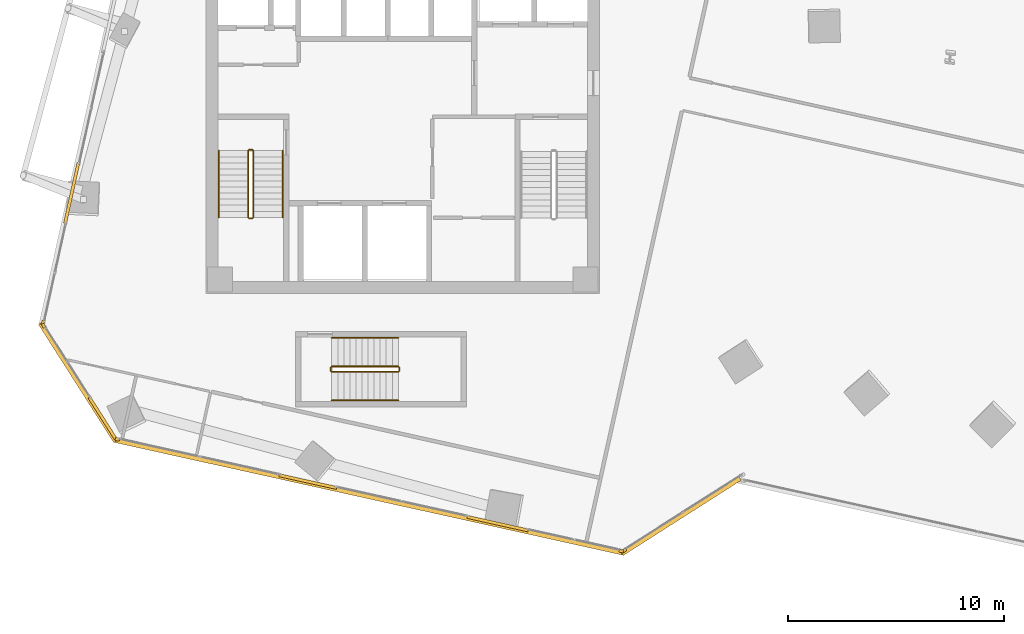
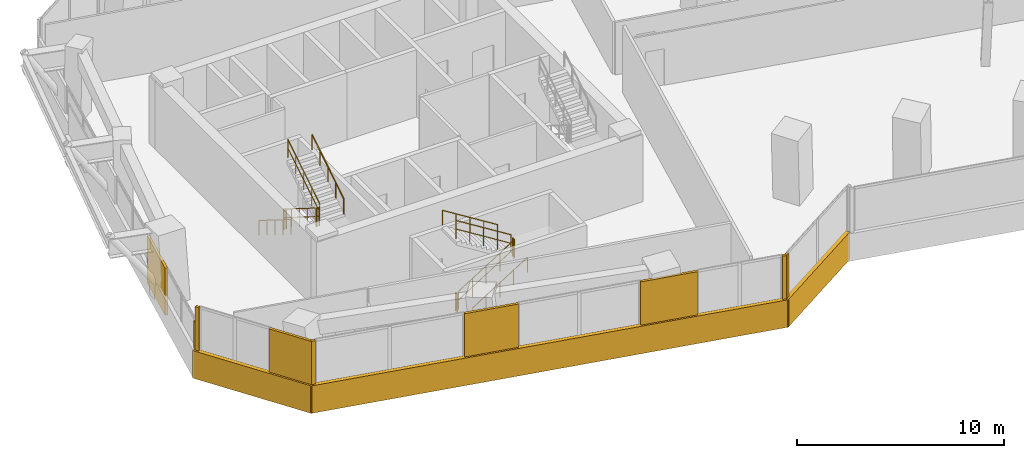
# One storey, part 23 of 26: 12 coverings, 12 railings.
"""IFC4 building model written with IfcOpenShell, lengths in metres."""

from ifc_helpers import new_model, si_unit, direction, frame, origin, origin_2d, place, context, subcontext, project, spatial, rectangle, circle, extrude, source, transform, mapped, material, layer, layer_set, type_object, element, save


model = new_model("IFC4")

# Units and contexts
model_context = context("Model", 3, precision=1e-05, world=origin(), true_north=direction((0.0, 1.0)))
body_context = subcontext(model_context, "Body", "Model", "MODEL_VIEW")
ifc_project = project(units=[si_unit("LENGTHUNIT", "METRE"), si_unit("AREAUNIT", "SQUARE_METRE"), si_unit("VOLUMEUNIT", "CUBIC_METRE"), si_unit("PLANEANGLEUNIT", "RADIAN"), si_unit("MASSUNIT", "GRAM", prefix="KILO")], contexts=[model_context])

# Site, building, storey
site_placement = place(None, origin())
site = spatial("IfcSite", under=ifc_project, at=site_placement, CompositionType="ELEMENT")
building_placement = place(site_placement, origin())
building = spatial("IfcBuilding", under=site, at=building_placement, Name="Torre Montelarca", CompositionType="ELEMENT")
storey_placement = place(building_placement, frame((0.0, 0.0, 95.800048828125)))
storey = spatial("IfcBuildingStorey", under=building, at=storey_placement, Name="L21", CompositionType="ELEMENT", Elevation=95.800048828125)

# Railings
ifc_material_1 = material(Name="Powder-coated steel ASTM A500 Grade C", Category="steel")
railing_type_1 = type_object("IfcRailingType", Name="RL-GUARD-1100", PredefinedType="BALUSTRADE", material=ifc_material_1)
railing_1_placement = place(storey_placement, frame((10.85009765625, 30.5, 0.175048828125)))
element("IfcRailing", 1, at=railing_1_placement, inside=storey, type_object=railing_type_1, Name="L21 ST1 stair guard 1", PredefinedType="BALUSTRADE", context=body_context, shape_type="SweptSolid", body=[
    extrude(circle(Radius=0.02392578125, at=origin_2d()), frame((0.0, 0.0, 1.076171875), z_axis=(0.0, -0.848028513186, 0.529950602248), x_axis=(1.0, 0.0, 0.0)), (0.0, 0.0, 1.0), 3.632080078125),
    extrude(circle(Radius=0.02099609375, at=origin_2d()), frame((0.0, 0.0, 0.572021484375), z_axis=(0.0, -0.848028513186, 0.529950602248), x_axis=(1.0, 0.0, 0.0)), (0.0, 0.0, 1.0), 3.632080078125),
    extrude(circle(Radius=0.02099609375, at=origin_2d()), origin(), (0.0, 0.0, 1.0), 1.052001953125),
    extrude(circle(Radius=0.02099609375, at=origin_2d()), frame((0.0, -0.77001953125, 0.481201171875)), (0.0, 0.0, 1.0), 1.052001953125),
    extrude(circle(Radius=0.02099609375, at=origin_2d()), frame((0.0, -1.5400390625, 0.96240234375)), (0.0, 0.0, 1.0), 1.052001953125),
    extrude(circle(Radius=0.02099609375, at=origin_2d()), frame((0.0, -2.31005859375, 1.443603515625)), (0.0, 0.0, 1.0), 1.052001953125),
    extrude(circle(Radius=0.02099609375, at=origin_2d()), frame((0.0, -3.080078125, 1.9248046875)), (0.0, 0.0, 1.0), 1.052001953125),
])
railing_2_placement = place(storey_placement, frame((10.89990234375, 27.3701171875, 2.099853515625)))
element("IfcRailing", 2, at=railing_2_placement, inside=storey, type_object=railing_type_1, Name="L21 ST1 stair guard 2", PredefinedType="BALUSTRADE", context=body_context, shape_type="SweptSolid", body=[
    extrude(circle(Radius=0.02392578125, at=origin_2d()), frame((0.0, 0.0, 1.076171875), z_axis=(1.0, 0.0, 0.0), x_axis=(0.0, 1.0, 0.0)), (0.0, 0.0, 1.0), 0.150146484375),
    extrude(circle(Radius=0.02099609375, at=origin_2d()), frame((0.0, 0.0, 0.572021484375), z_axis=(1.0, 0.0, 0.0), x_axis=(0.0, 1.0, 0.0)), (0.0, 0.0, 1.0), 0.150146484375),
    extrude(circle(Radius=0.02099609375, at=origin_2d()), origin(), (0.0, 0.0, 1.0), 1.052001953125),
    extrude(circle(Radius=0.02099609375, at=origin_2d()), frame((0.150146484375, 0.0, 0.0)), (0.0, 0.0, 1.0), 1.052001953125),
])
railing_3_placement = place(storey_placement, frame((11.10009765625, 27.419921875, 2.27490234375)))
element("IfcRailing", 3, at=railing_3_placement, inside=storey, type_object=railing_type_1, Name="L21 ST1 stair guard 3", PredefinedType="BALUSTRADE", context=body_context, shape_type="SweptSolid", body=[
    extrude(circle(Radius=0.02392578125, at=origin_2d()), frame((0.0, 0.0, 1.076171875), z_axis=(0.0, 0.847998304005, 0.529998940003), x_axis=(-1.0, 0.0, 0.0)), (0.0, 0.0, 1.0), 3.632080078125),
    extrude(circle(Radius=0.02099609375, at=origin_2d()), frame((0.0, 0.0, 0.572021484375), z_axis=(0.0, 0.847998304005, 0.529998940003), x_axis=(-1.0, 0.0, 0.0)), (0.0, 0.0, 1.0), 3.632080078125),
    extrude(circle(Radius=0.02099609375, at=origin_2d()), origin(), (0.0, 0.0, 1.0), 1.052001953125),
    extrude(circle(Radius=0.02099609375, at=origin_2d()), frame((0.0, 0.77001953125, 0.481201171875)), (0.0, 0.0, 1.0), 1.052001953125),
    extrude(circle(Radius=0.02099609375, at=origin_2d()), frame((0.0, 1.5400390625, 0.96240234375)), (0.0, 0.0, 1.0), 1.052001953125),
    extrude(circle(Radius=0.02099609375, at=origin_2d()), frame((0.0, 2.31005859375, 1.44384765625)), (0.0, 0.0, 1.0), 1.052001953125),
    extrude(circle(Radius=0.02099609375, at=origin_2d()), frame((0.0, 3.080078125, 1.925048828125)), (0.0, 0.0, 1.0), 1.052001953125),
])
railing_4_placement = place(storey_placement, frame((10.89990234375, 30.550048828125, 0.0)))
element("IfcRailing", 4, at=railing_4_placement, inside=storey, type_object=railing_type_1, Name="L21 ST1 stair guard 4", PredefinedType="BALUSTRADE", context=body_context, shape_type="SweptSolid", body=[
    extrude(circle(Radius=0.02392578125, at=origin_2d()), frame((0.0, 0.0, 1.076171875), z_axis=(1.0, 0.0, 0.0), x_axis=(0.0, 1.0, 0.0)), (0.0, 0.0, 1.0), 0.150146484375),
    extrude(circle(Radius=0.02099609375, at=origin_2d()), frame((0.0, 0.0, 0.572021484375), z_axis=(1.0, 0.0, 0.0), x_axis=(0.0, 1.0, 0.0)), (0.0, 0.0, 1.0), 0.150146484375),
    extrude(circle(Radius=0.02099609375, at=origin_2d()), origin(), (0.0, 0.0, 1.0), 1.052001953125),
    extrude(circle(Radius=0.02099609375, at=origin_2d()), frame((0.150146484375, 0.0, 0.0)), (0.0, 0.0, 1.0), 1.052001953125),
])
railing_5_placement = place(storey_placement, frame((14.719970703125, 20.27001953125, 0.175048828125)))
element("IfcRailing", 5, at=railing_5_placement, inside=storey, type_object=railing_type_1, Name="L21 ST3 stair guard 1", PredefinedType="BALUSTRADE", context=body_context, shape_type="SweptSolid", body=[
    extrude(circle(Radius=0.02392578125, at=origin_2d()), frame((0.0, 0.0, 1.076171875), z_axis=(0.848028513186, 0.0, 0.529950602248), x_axis=(0.0, 1.0, 0.0)), (0.0, 0.0, 1.0), 3.632080078125),
    extrude(circle(Radius=0.02099609375, at=origin_2d()), frame((0.0, 0.0, 0.572021484375), z_axis=(0.848028513186, 0.0, 0.529950602248), x_axis=(0.0, 1.0, 0.0)), (0.0, 0.0, 1.0), 3.632080078125),
    extrude(circle(Radius=0.02099609375, at=origin_2d()), origin(), (0.0, 0.0, 1.0), 1.052001953125),
    extrude(circle(Radius=0.02099609375, at=origin_2d()), frame((0.77001953125, 0.0, 0.481201171875)), (0.0, 0.0, 1.0), 1.052001953125),
    extrude(circle(Radius=0.02099609375, at=origin_2d()), frame((1.5400390625, 0.0, 0.96240234375)), (0.0, 0.0, 1.0), 1.052001953125),
    extrude(circle(Radius=0.02099609375, at=origin_2d()), frame((2.31005859375, 0.0, 1.443603515625)), (0.0, 0.0, 1.0), 1.052001953125),
    extrude(circle(Radius=0.02099609375, at=origin_2d()), frame((3.080078125, 0.0, 1.9248046875)), (0.0, 0.0, 1.0), 1.052001953125),
])
railing_6_placement = place(storey_placement, frame((17.85009765625, 20.320068359375, 2.099853515625)))
element("IfcRailing", 6, at=railing_6_placement, inside=storey, type_object=railing_type_1, Name="L21 ST3 stair guard 2", PredefinedType="BALUSTRADE", context=body_context, shape_type="SweptSolid", body=[
    extrude(circle(Radius=0.02392578125, at=origin_2d()), frame((0.0, 0.0, 1.076171875), z_axis=(0.0, 1.0, 0.0), x_axis=(-1.0, 0.0, 0.0)), (0.0, 0.0, 1.0), 0.14990234375),
    extrude(circle(Radius=0.02099609375, at=origin_2d()), frame((0.0, 0.0, 0.572021484375), z_axis=(0.0, 1.0, 0.0), x_axis=(-1.0, 0.0, 0.0)), (0.0, 0.0, 1.0), 0.14990234375),
    extrude(circle(Radius=0.02099609375, at=origin_2d()), origin(), (0.0, 0.0, 1.0), 1.052001953125),
    extrude(circle(Radius=0.02099609375, at=origin_2d()), frame((0.0, 0.14990234375, 0.0)), (0.0, 0.0, 1.0), 1.052001953125),
])
railing_7_placement = place(storey_placement, frame((17.800048828125, 20.52001953125, 2.27490234375)))
element("IfcRailing", 7, at=railing_7_placement, inside=storey, type_object=railing_type_1, Name="L21 ST3 stair guard 3", PredefinedType="BALUSTRADE", context=body_context, shape_type="SweptSolid", body=[
    extrude(circle(Radius=0.02392578125, at=origin_2d()), frame((0.0, 0.0, 1.076171875), z_axis=(-0.847998304005, 0.0, 0.529998940003), x_axis=(0.0, -1.0, 0.0)), (0.0, 0.0, 1.0), 3.632080078125),
    extrude(circle(Radius=0.02099609375, at=origin_2d()), frame((0.0, 0.0, 0.572021484375), z_axis=(-0.847998304005, 0.0, 0.529998940003), x_axis=(0.0, -1.0, 0.0)), (0.0, 0.0, 1.0), 3.632080078125),
    extrude(circle(Radius=0.02099609375, at=origin_2d()), origin(), (0.0, 0.0, 1.0), 1.052001953125),
    extrude(circle(Radius=0.02099609375, at=origin_2d()), frame((-0.77001953125, 0.0, 0.481201171875)), (0.0, 0.0, 1.0), 1.052001953125),
    extrude(circle(Radius=0.02099609375, at=origin_2d()), frame((-1.5400390625, 0.0, 0.96240234375)), (0.0, 0.0, 1.0), 1.052001953125),
    extrude(circle(Radius=0.02099609375, at=origin_2d()), frame((-2.31005859375, 0.0, 1.44384765625)), (0.0, 0.0, 1.0), 1.052001953125),
    extrude(circle(Radius=0.02099609375, at=origin_2d()), frame((-3.080078125, 0.0, 1.925048828125)), (0.0, 0.0, 1.0), 1.052001953125),
])
railing_8_placement = place(storey_placement, frame((14.669921875, 20.320068359375, 0.0)))
element("IfcRailing", 8, at=railing_8_placement, inside=storey, type_object=railing_type_1, Name="L21 ST3 stair guard 4", PredefinedType="BALUSTRADE", context=body_context, shape_type="SweptSolid", body=[
    extrude(circle(Radius=0.02392578125, at=origin_2d()), frame((0.0, 0.0, 1.076171875), z_axis=(0.0, 1.0, 0.0), x_axis=(-1.0, 0.0, 0.0)), (0.0, 0.0, 1.0), 0.14990234375),
    extrude(circle(Radius=0.02099609375, at=origin_2d()), frame((0.0, 0.0, 0.572021484375), z_axis=(0.0, 1.0, 0.0), x_axis=(-1.0, 0.0, 0.0)), (0.0, 0.0, 1.0), 0.14990234375),
    extrude(circle(Radius=0.02099609375, at=origin_2d()), origin(), (0.0, 0.0, 1.0), 1.052001953125),
    extrude(circle(Radius=0.02099609375, at=origin_2d()), frame((0.0, 0.14990234375, 0.0)), (0.0, 0.0, 1.0), 1.052001953125),
])
ifc_material_2 = material(Name="Brushed stainless steel AISI 316", Category="steel")
railing_type_2 = type_object("IfcRailingType", Name="RL-HANDRAIL-900", PredefinedType="HANDRAIL", material=ifc_material_2)
railing_9_placement = place(storey_placement, frame((9.5, 30.5, 0.175048828125)))
element("IfcRailing", 9, at=railing_9_placement, inside=storey, type_object=railing_type_2, Name="L21 ST1 stair handrail 1", PredefinedType="HANDRAIL", context=body_context, shape_type="SweptSolid", body=[
    extrude(circle(Radius=0.02392578125, at=origin_2d()), frame((0.0, 0.0, 0.8759765625), z_axis=(0.0, -0.848028513186, 0.529950602248), x_axis=(1.0, 0.0, 0.0)), (0.0, 0.0, 1.0), 3.632080078125),
    extrude(circle(Radius=0.02099609375, at=origin_2d()), origin(), (0.0, 0.0, 1.0), 0.851806640625),
    extrude(circle(Radius=0.02099609375, at=origin_2d()), frame((0.0, -0.77001953125, 0.481201171875)), (0.0, 0.0, 1.0), 0.851806640625),
    extrude(circle(Radius=0.02099609375, at=origin_2d()), frame((0.0, -1.5400390625, 0.96240234375)), (0.0, 0.0, 1.0), 0.851806640625),
    extrude(circle(Radius=0.02099609375, at=origin_2d()), frame((0.0, -2.31005859375, 1.443603515625)), (0.0, 0.0, 1.0), 0.851806640625),
    extrude(circle(Radius=0.02099609375, at=origin_2d()), frame((0.0, -3.080078125, 1.9248046875)), (0.0, 0.0, 1.0), 0.851806640625),
])
railing_10_placement = place(storey_placement, frame((12.449951171875, 27.419921875, 2.27490234375)))
element("IfcRailing", 10, at=railing_10_placement, inside=storey, type_object=railing_type_2, Name="L21 ST1 stair handrail 2", PredefinedType="HANDRAIL", context=body_context, shape_type="SweptSolid", body=[
    extrude(circle(Radius=0.02392578125, at=origin_2d()), frame((0.0, 0.0, 0.8759765625), z_axis=(0.0, 0.847998304005, 0.529998940003), x_axis=(-1.0, 0.0, 0.0)), (0.0, 0.0, 1.0), 3.632080078125),
    extrude(circle(Radius=0.02099609375, at=origin_2d()), origin(), (0.0, 0.0, 1.0), 0.851806640625),
    extrude(circle(Radius=0.02099609375, at=origin_2d()), frame((0.0, 0.77001953125, 0.481201171875)), (0.0, 0.0, 1.0), 0.851806640625),
    extrude(circle(Radius=0.02099609375, at=origin_2d()), frame((0.0, 1.5400390625, 0.96240234375)), (0.0, 0.0, 1.0), 0.851806640625),
    extrude(circle(Radius=0.02099609375, at=origin_2d()), frame((0.0, 2.31005859375, 1.44384765625)), (0.0, 0.0, 1.0), 0.851806640625),
    extrude(circle(Radius=0.02099609375, at=origin_2d()), frame((0.0, 3.080078125, 1.925048828125)), (0.0, 0.0, 1.0), 0.851806640625),
])
railing_11_placement = place(storey_placement, frame((14.719970703125, 18.949951171875, 0.175048828125)))
element("IfcRailing", 11, at=railing_11_placement, inside=storey, type_object=railing_type_2, Name="L21 ST3 stair handrail 1", PredefinedType="HANDRAIL", context=body_context, shape_type="SweptSolid", body=[
    extrude(circle(Radius=0.02392578125, at=origin_2d()), frame((0.0, 0.0, 0.8759765625), z_axis=(0.848028513186, 0.0, 0.529950602248), x_axis=(0.0, 1.0, 0.0)), (0.0, 0.0, 1.0), 3.632080078125),
    extrude(circle(Radius=0.02099609375, at=origin_2d()), origin(), (0.0, 0.0, 1.0), 0.851806640625),
    extrude(circle(Radius=0.02099609375, at=origin_2d()), frame((0.77001953125, 0.0, 0.481201171875)), (0.0, 0.0, 1.0), 0.851806640625),
    extrude(circle(Radius=0.02099609375, at=origin_2d()), frame((1.5400390625, 0.0, 0.96240234375)), (0.0, 0.0, 1.0), 0.851806640625),
    extrude(circle(Radius=0.02099609375, at=origin_2d()), frame((2.31005859375, 0.0, 1.443603515625)), (0.0, 0.0, 1.0), 0.851806640625),
    extrude(circle(Radius=0.02099609375, at=origin_2d()), frame((3.080078125, 0.0, 1.9248046875)), (0.0, 0.0, 1.0), 0.851806640625),
])
railing_12_placement = place(storey_placement, frame((17.800048828125, 21.840087890625, 2.27490234375)))
element("IfcRailing", 12, at=railing_12_placement, inside=storey, type_object=railing_type_2, Name="L21 ST3 stair handrail 2", PredefinedType="HANDRAIL", context=body_context, shape_type="SweptSolid", body=[
    extrude(circle(Radius=0.02392578125, at=origin_2d()), frame((0.0, 0.0, 0.8759765625), z_axis=(-0.847998304005, 0.0, 0.529998940003), x_axis=(0.0, -1.0, 0.0)), (0.0, 0.0, 1.0), 3.632080078125),
    extrude(circle(Radius=0.02099609375, at=origin_2d()), origin(), (0.0, 0.0, 1.0), 0.851806640625),
    extrude(circle(Radius=0.02099609375, at=origin_2d()), frame((-0.77001953125, 0.0, 0.481201171875)), (0.0, 0.0, 1.0), 0.851806640625),
    extrude(circle(Radius=0.02099609375, at=origin_2d()), frame((-1.5400390625, 0.0, 0.96240234375)), (0.0, 0.0, 1.0), 0.851806640625),
    extrude(circle(Radius=0.02099609375, at=origin_2d()), frame((-2.31005859375, 0.0, 1.44384765625)), (0.0, 0.0, 1.0), 0.851806640625),
    extrude(circle(Radius=0.02099609375, at=origin_2d()), frame((-3.080078125, 0.0, 1.925048828125)), (0.0, 0.0, 1.0), 0.851806640625),
])

# Coverings
ifc_material_3 = material(Name="Bush-hammered warm white precast concrete C45/55", Category="concrete")
ifc_layer = layer(ifc_material_3, 0.139892578125, Name="Bush-hammered warm white precast concrete C45/55", Category="concrete")
ifc_layer_set = layer_set([ifc_layer], Name="Bush-hammered warm white precast concrete C45/55")
covering_type = type_object("IfcCoveringType", Name="COV-TRAY-CLAD", PredefinedType="CLADDING", material=ifc_layer_set)
shared_shape_1 = source(origin(), body_context, "Body", "SweptSolid", [
    extrude(rectangle(XDim=24.219970703125, YDim=0.219970703125, at=origin_2d()), origin(), (0.0, 0.0, 1.0), 1.6201171875),
])
covering_1_placement = place(storey_placement, frame((16.444580078125, 14.509521484375, -0.4501953125), z_axis=(0.0, 0.0, 1.0), x_axis=(0.97629600712, -0.216439613938, 0.0)))
element("IfcCovering", 13, at=covering_1_placement, inside=storey, type_object=covering_type, Name="L21 Architectural White Spandrel Tray Band TRYBOT-01", PredefinedType="CLADDING", context=body_context, shape_type="MappedRepresentation", body=[
    mapped(shared_shape_1, transform((0.0, 0.0, 0.0), scale=1.0)),
])
shared_shape_2 = source(origin(), body_context, "Body", "SweptSolid", [
    extrude(rectangle(XDim=6.48388671875, YDim=0.219970703125, at=origin_2d()), origin(), (0.0, 0.0, 1.0), 1.6201171875),
])
for number, where, z_axis, x_axis, name in (
    (14, (30.869873046875, 13.607177734375, -0.4501953125), (0.0, 0.0, 1.0), (0.843387694733, 0.537305496317, 0.0), "L21 Architectural White Spandrel Tray Band TRYBOT-02"),
    (15, (2.9892578125, 19.7880859375, -0.4501953125), (0.0, 0.0, 1.0), (0.537305496317, -0.843387694733, 0.0), "L21 Architectural White Spandrel Tray Band TRYBOT-11"),
):
    element("IfcCovering", number, at=place(storey_placement, frame(where, z_axis=z_axis, x_axis=x_axis)), inside=storey, type_object=covering_type, Name=name, PredefinedType="CLADDING", context=body_context, shape_type="MappedRepresentation", body=[
        mapped(shared_shape_2, transform((0.0, 0.0, 0.0), scale=1.0)),
    ])
shared_shape_3 = source(origin(), body_context, "Body", "SweptSolid", [
    extrude(rectangle(XDim=0.199951171875, YDim=0.139892578125, at=origin_2d()), origin(), (0.0, 0.0, 1.0), 3.719970703125),
])
for number, where, z_axis, x_axis, name in (
    (16, (4.806396484375, 17.151123046875, 0.0), (0.0, 0.0, 1.0), (0.97629600712, -0.216439613938, 0.0), "L21 Architectural Column Pier Cladding E01-1"),
    (17, (28.10888671875, 11.985107421875, 0.0), (0.0, 0.0, 1.0), (0.97629600712, -0.216439613938, 0.0), "L21 Architectural Column Pier Cladding E01-4"),
    (18, (28.251708984375, 12.01025390625, 0.0), (0.0, 0.0, 1.0), (0.843383943613, 0.537311384261, 0.0), "L21 Architectural Column Pier Cladding E02-1"),
    (19, (1.392333984375, 22.40625, 0.0), (0.0, 0.0, 1.0), (0.537314328223, -0.843382068037, 0.0), "L21 Architectural Column Pier Cladding E11-1"),
):
    element("IfcCovering", number, at=place(storey_placement, frame(where, z_axis=z_axis, x_axis=x_axis)), inside=storey, type_object=covering_type, Name=name, PredefinedType="CLADDING", context=body_context, shape_type="MappedRepresentation", body=[
        mapped(shared_shape_3, transform((0.0, 0.0, 0.0), scale=1.0)),
    ])
shared_shape_4 = source(origin(), body_context, "Body", "SweptSolid", [
    extrude(rectangle(XDim=0.199951171875, YDim=0.139892578125, at=origin_2d()), origin(), (0.0, 0.0, 1.0), 2.77490234375),
])
covering_2_placement = place(storey_placement, frame((1.3671875, 22.54931640625, 0.0), z_axis=(0.0, 0.0, 1.0), x_axis=(-0.216441317896, -0.97629562936, 0.0)))
element("IfcCovering", 20, at=covering_2_placement, inside=storey, type_object=covering_type, Name="L21 Architectural Column Pier Cladding E10-5", PredefinedType="CLADDING", context=body_context, shape_type="MappedRepresentation", body=[
    mapped(shared_shape_4, transform((0.0, 0.0, 0.0), scale=1.0)),
])
shared_shape_5 = source(origin(), body_context, "Body", "SweptSolid", [
    extrude(rectangle(XDim=2.888916015625, YDim=0.139892578125, at=origin_2d()), origin(), (0.0, 0.0, 1.0), 3.719970703125),
])
covering_3_placement = place(storey_placement, frame((22.397216796875, 13.25146484375, 0.0), z_axis=(0.0, 0.0, 1.0), x_axis=(0.97629600712, -0.216439613938, 0.0)))
element("IfcCovering", 21, at=covering_3_placement, inside=storey, type_object=covering_type, Name="L21 Architectural Column Pier Cladding E01-3", PredefinedType="CLADDING", context=body_context, shape_type="MappedRepresentation", body=[
    mapped(shared_shape_5, transform((0.0, 0.0, 0.0), scale=1.0)),
])
shared_shape_6 = source(origin(), body_context, "Body", "SweptSolid", [
    extrude(rectangle(XDim=2.883056640625, YDim=0.139892578125, at=origin_2d()), origin(), (0.0, 0.0, 1.0), 2.77490234375),
])
covering_4_placement = place(storey_placement, frame((2.6962890625, 28.5439453125, 0.0), z_axis=(0.0, 0.0, 1.0), x_axis=(-0.216441317896, -0.97629562936, 0.0)))
element("IfcCovering", 22, at=covering_4_placement, inside=storey, type_object=covering_type, Name="L21 Architectural Column Pier Cladding E10-4", PredefinedType="CLADDING", context=body_context, shape_type="MappedRepresentation", body=[
    mapped(shared_shape_6, transform((0.0, 0.0, 0.0), scale=1.0)),
])
shared_shape_7 = source(origin(), body_context, "Body", "SweptSolid", [
    extrude(rectangle(XDim=2.29541015625, YDim=0.139892578125, at=origin_2d()), origin(), (0.0, 0.0, 1.0), 3.719970703125),
])
covering_5_placement = place(storey_placement, frame((4.12451171875, 18.1181640625, 0.0), z_axis=(0.0, 0.0, 1.0), x_axis=(0.537314328223, -0.843382068037, 0.0)))
element("IfcCovering", 23, at=covering_5_placement, inside=storey, type_object=covering_type, Name="L21 Architectural Column Pier Cladding E11-2", PredefinedType="CLADDING", context=body_context, shape_type="MappedRepresentation", body=[
    mapped(shared_shape_7, transform((0.0, 0.0, 0.0), scale=1.0)),
])
shared_shape_8 = source(origin(), body_context, "Body", "SweptSolid", [
    extrude(rectangle(XDim=2.732421875, YDim=0.139892578125, at=origin_2d()), origin(), (0.0, 0.0, 1.0), 3.719970703125),
])
covering_6_placement = place(storey_placement, frame((13.615966796875, 15.1982421875, 0.0), z_axis=(0.0, 0.0, 1.0), x_axis=(0.97629600712, -0.216439613938, 0.0)))
element("IfcCovering", 24, at=covering_6_placement, inside=storey, type_object=covering_type, Name="L21 Architectural Column Pier Cladding E01-2", PredefinedType="CLADDING", context=body_context, shape_type="MappedRepresentation", body=[
    mapped(shared_shape_8, transform((0.0, 0.0, 0.0), scale=1.0)),
])

save(model, "model.ifc")
